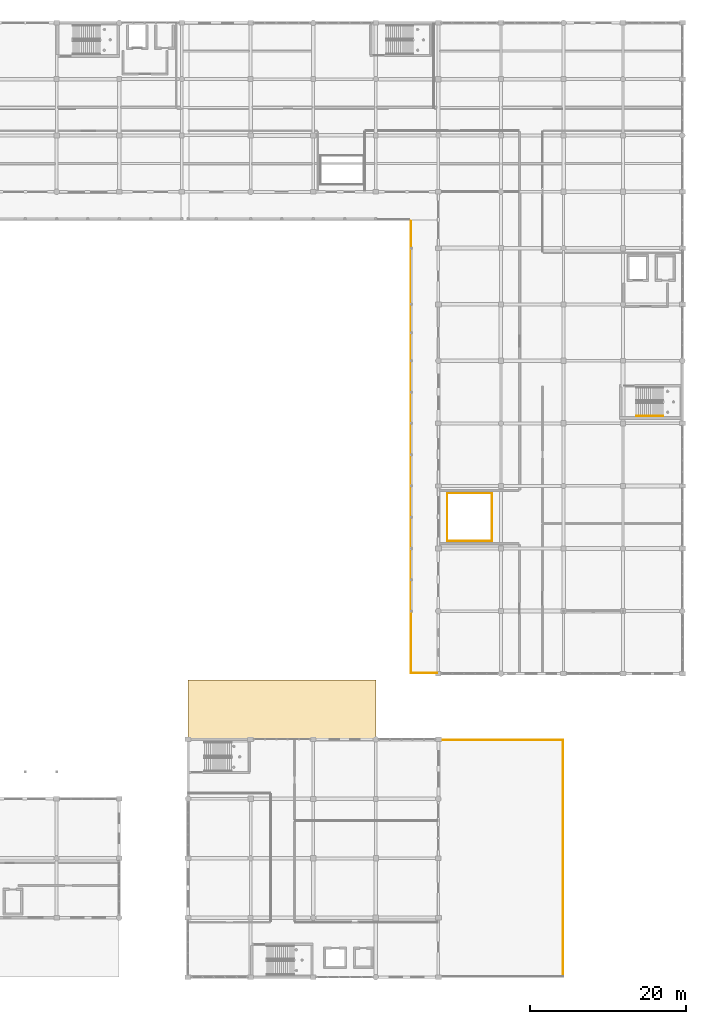
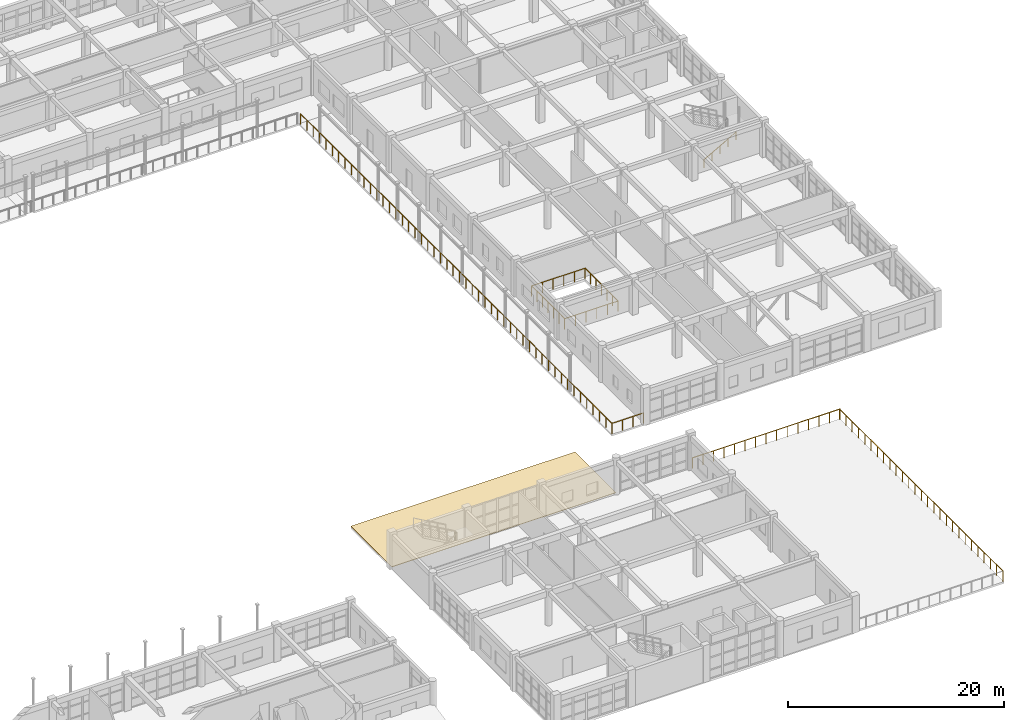
# One storey, part 193 of 195: 9 railings, 1 covering.
"""IFC4 building model written with IfcOpenShell, lengths in metres."""

from ifc_helpers import new_model, si_unit, direction, frame, origin, origin_2d, place, context, subcontext, project, spatial, polyline, circle, outline, extrude, material, layer, layer_set, type_object, element, save


model = new_model("IFC4")

# Units and contexts
model_context = context("Model", 3, precision=1e-05, world=origin(), true_north=direction((0.0, 1.0)))
body_context = subcontext(model_context, "Body", "Model", "MODEL_VIEW")
ifc_project = project(units=[si_unit("LENGTHUNIT", "METRE"), si_unit("AREAUNIT", "SQUARE_METRE"), si_unit("VOLUMEUNIT", "CUBIC_METRE"), si_unit("PLANEANGLEUNIT", "RADIAN"), si_unit("MASSUNIT", "GRAM", prefix="KILO")], contexts=[model_context])

# Site, building, storey
site_placement = place(None, origin())
site = spatial("IfcSite", under=ifc_project, at=site_placement, CompositionType="ELEMENT")
building_placement = place(site_placement, origin())
building = spatial("IfcBuilding", under=site, at=building_placement, Name="Kharva Crest Polytechnic", CompositionType="ELEMENT")
storey_placement = place(building_placement, frame((0.0, 0.0, 9.0)))
storey = spatial("IfcBuildingStorey", under=building, at=storey_placement, Name="L02", CompositionType="ELEMENT", Elevation=9.0)

# Covering
ifc_material_1 = material(Name="Anodised aluminium", Category="aluminium")
ifc_layer = layer(ifc_material_1, 0.044921875, Name="Anodised aluminium")
ifc_layer_set = layer_set([ifc_layer], Name="Anodised aluminium")
covering_type = type_object("IfcCoveringType", Name="COV-ROOF-MEMBRANE", PredefinedType="ROOFING", material=ifc_layer_set)
covering_placement = place(storey_placement, origin())
element("IfcCovering", 1, at=covering_placement, inside=storey, type_object=covering_type, Name="L02 Standing-Seam Roof Covering 15", PredefinedType="ROOFING", context=body_context, shape_type="SweptSolid", body=[
    extrude(outline(polyline([(120.800048828125, 30.39990234375), (144.800048828125, 30.39990234375), (144.800048828125, 38.0), (120.800048828125, 38.0), (120.800048828125, 30.39990234375)])), origin(), (0.0, 0.0, 1.0), 0.044921875),
])

# Railings
railing_type_1 = type_object("IfcRailingType", Name="RL-BALUSTRADE-1200", PredefinedType="BALUSTRADE", material=ifc_material_1)
railing_1_placement = place(storey_placement, frame((149.260009765625, 38.8798828125, 0.0)))
element("IfcRailing", 2, at=railing_1_placement, inside=storey, type_object=railing_type_1, Name="L02 VER_E_L02 S Balustrade 17", PredefinedType="BALUSTRADE", context=body_context, shape_type="SweptSolid", body=[
    extrude(circle(Radius=0.02392578125, at=origin_2d()), frame((0.0, 0.0, 1.17578125), z_axis=(1.0, 0.0, 0.0), x_axis=(0.0, 1.0, 0.0)), (0.0, 0.0, 1.0), 3.39990234375),
    extrude(circle(Radius=0.02099609375, at=origin_2d()), origin(), (0.0, 0.0, 1.0), 1.15185546875),
    extrude(circle(Radius=0.02099609375, at=origin_2d()), frame((1.13330078125, 0.0, 0.0)), (0.0, 0.0, 1.0), 1.15185546875),
    extrude(circle(Radius=0.02099609375, at=origin_2d()), frame((2.2666015625, 0.0, 0.0)), (0.0, 0.0, 1.0), 1.15185546875),
    extrude(circle(Radius=0.02099609375, at=origin_2d()), frame((3.39990234375, 0.0, 0.0)), (0.0, 0.0, 1.0), 1.15185546875),
])
railing_2_placement = place(storey_placement, frame((149.280029296875, 38.860107421875, 0.0)))
element("IfcRailing", 3, at=railing_2_placement, inside=storey, type_object=railing_type_1, Name="L02 VER_E_L02 W Balustrade 18", PredefinedType="BALUSTRADE", context=body_context, shape_type="SweptSolid", body=[
    extrude(circle(Radius=0.02392578125, at=origin_2d()), frame((0.0, 0.0, 1.17578125), z_axis=(0.0, 1.0, 0.0), x_axis=(-1.0, 0.0, 0.0)), (0.0, 0.0, 1.0), 57.7998046875),
    extrude(circle(Radius=0.02099609375, at=origin_2d()), origin(), (0.0, 0.0, 1.0), 1.15185546875),
    extrude(circle(Radius=0.02099609375, at=origin_2d()), frame((0.0, 1.1796875, 0.0)), (0.0, 0.0, 1.0), 1.15185546875),
    extrude(circle(Radius=0.02099609375, at=origin_2d()), frame((0.0, 2.359130859375, 0.0)), (0.0, 0.0, 1.0), 1.15185546875),
    extrude(circle(Radius=0.02099609375, at=origin_2d()), frame((0.0, 3.538818359375, 0.0)), (0.0, 0.0, 1.0), 1.15185546875),
    extrude(circle(Radius=0.02099609375, at=origin_2d()), frame((0.0, 4.71826171875, 0.0)), (0.0, 0.0, 1.0), 1.15185546875),
    extrude(circle(Radius=0.02099609375, at=origin_2d()), frame((0.0, 5.89794921875, 0.0)), (0.0, 0.0, 1.0), 1.15185546875),
    extrude(circle(Radius=0.02099609375, at=origin_2d()), frame((0.0, 7.07763671875, 0.0)), (0.0, 0.0, 1.0), 1.15185546875),
    extrude(circle(Radius=0.02099609375, at=origin_2d()), frame((0.0, 8.257080078125, 0.0)), (0.0, 0.0, 1.0), 1.15185546875),
    extrude(circle(Radius=0.02099609375, at=origin_2d()), frame((0.0, 9.436767578125, 0.0)), (0.0, 0.0, 1.0), 1.15185546875),
    extrude(circle(Radius=0.02099609375, at=origin_2d()), frame((0.0, 10.6162109375, 0.0)), (0.0, 0.0, 1.0), 1.15185546875),
    extrude(circle(Radius=0.02099609375, at=origin_2d()), frame((0.0, 11.7958984375, 0.0)), (0.0, 0.0, 1.0), 1.15185546875),
    extrude(circle(Radius=0.02099609375, at=origin_2d()), frame((0.0, 12.9755859375, 0.0)), (0.0, 0.0, 1.0), 1.15185546875),
    extrude(circle(Radius=0.02099609375, at=origin_2d()), frame((0.0, 14.155029296875, 0.0)), (0.0, 0.0, 1.0), 1.15185546875),
    extrude(circle(Radius=0.02099609375, at=origin_2d()), frame((0.0, 15.334716796875, 0.0)), (0.0, 0.0, 1.0), 1.15185546875),
    extrude(circle(Radius=0.02099609375, at=origin_2d()), frame((0.0, 16.51416015625, 0.0)), (0.0, 0.0, 1.0), 1.15185546875),
    extrude(circle(Radius=0.02099609375, at=origin_2d()), frame((0.0, 17.69384765625, 0.0)), (0.0, 0.0, 1.0), 1.15185546875),
    extrude(circle(Radius=0.02099609375, at=origin_2d()), frame((0.0, 18.873291015625, 0.0)), (0.0, 0.0, 1.0), 1.15185546875),
    extrude(circle(Radius=0.02099609375, at=origin_2d()), frame((0.0, 20.052978515625, 0.0)), (0.0, 0.0, 1.0), 1.15185546875),
    extrude(circle(Radius=0.02099609375, at=origin_2d()), frame((0.0, 21.232666015625, 0.0)), (0.0, 0.0, 1.0), 1.15185546875),
    extrude(circle(Radius=0.02099609375, at=origin_2d()), frame((0.0, 22.412109375, 0.0)), (0.0, 0.0, 1.0), 1.15185546875),
    extrude(circle(Radius=0.02099609375, at=origin_2d()), frame((0.0, 23.591796875, 0.0)), (0.0, 0.0, 1.0), 1.15185546875),
    extrude(circle(Radius=0.02099609375, at=origin_2d()), frame((0.0, 24.771240234375, 0.0)), (0.0, 0.0, 1.0), 1.15185546875),
    extrude(circle(Radius=0.02099609375, at=origin_2d()), frame((0.0, 25.950927734375, 0.0)), (0.0, 0.0, 1.0), 1.15185546875),
    extrude(circle(Radius=0.02099609375, at=origin_2d()), frame((0.0, 27.130615234375, 0.0)), (0.0, 0.0, 1.0), 1.15185546875),
    extrude(circle(Radius=0.02099609375, at=origin_2d()), frame((0.0, 28.31005859375, 0.0)), (0.0, 0.0, 1.0), 1.15185546875),
    extrude(circle(Radius=0.02099609375, at=origin_2d()), frame((0.0, 29.48974609375, 0.0)), (0.0, 0.0, 1.0), 1.15185546875),
    extrude(circle(Radius=0.02099609375, at=origin_2d()), frame((0.0, 30.669189453125, 0.0)), (0.0, 0.0, 1.0), 1.15185546875),
    extrude(circle(Radius=0.02099609375, at=origin_2d()), frame((0.0, 31.848876953125, 0.0)), (0.0, 0.0, 1.0), 1.15185546875),
    extrude(circle(Radius=0.02099609375, at=origin_2d()), frame((0.0, 33.028564453125, 0.0)), (0.0, 0.0, 1.0), 1.15185546875),
    extrude(circle(Radius=0.02099609375, at=origin_2d()), frame((0.0, 34.2080078125, 0.0)), (0.0, 0.0, 1.0), 1.15185546875),
    extrude(circle(Radius=0.02099609375, at=origin_2d()), frame((0.0, 35.3876953125, 0.0)), (0.0, 0.0, 1.0), 1.15185546875),
    extrude(circle(Radius=0.02099609375, at=origin_2d()), frame((0.0, 36.567138671875, 0.0)), (0.0, 0.0, 1.0), 1.15185546875),
    extrude(circle(Radius=0.02099609375, at=origin_2d()), frame((0.0, 37.746826171875, 0.0)), (0.0, 0.0, 1.0), 1.15185546875),
    extrude(circle(Radius=0.02099609375, at=origin_2d()), frame((0.0, 38.926513671875, 0.0)), (0.0, 0.0, 1.0), 1.15185546875),
    extrude(circle(Radius=0.02099609375, at=origin_2d()), frame((0.0, 40.10595703125, 0.0)), (0.0, 0.0, 1.0), 1.15185546875),
    extrude(circle(Radius=0.02099609375, at=origin_2d()), frame((0.0, 41.28564453125, 0.0)), (0.0, 0.0, 1.0), 1.15185546875),
    extrude(circle(Radius=0.02099609375, at=origin_2d()), frame((0.0, 42.465087890625, 0.0)), (0.0, 0.0, 1.0), 1.15185546875),
    extrude(circle(Radius=0.02099609375, at=origin_2d()), frame((0.0, 43.644775390625, 0.0)), (0.0, 0.0, 1.0), 1.15185546875),
    extrude(circle(Radius=0.02099609375, at=origin_2d()), frame((0.0, 44.82421875, 0.0)), (0.0, 0.0, 1.0), 1.15185546875),
    extrude(circle(Radius=0.02099609375, at=origin_2d()), frame((0.0, 46.00390625, 0.0)), (0.0, 0.0, 1.0), 1.15185546875),
    extrude(circle(Radius=0.02099609375, at=origin_2d()), frame((0.0, 47.18359375, 0.0)), (0.0, 0.0, 1.0), 1.15185546875),
    extrude(circle(Radius=0.02099609375, at=origin_2d()), frame((0.0, 48.363037109375, 0.0)), (0.0, 0.0, 1.0), 1.15185546875),
    extrude(circle(Radius=0.02099609375, at=origin_2d()), frame((0.0, 49.542724609375, 0.0)), (0.0, 0.0, 1.0), 1.15185546875),
    extrude(circle(Radius=0.02099609375, at=origin_2d()), frame((0.0, 50.72216796875, 0.0)), (0.0, 0.0, 1.0), 1.15185546875),
    extrude(circle(Radius=0.02099609375, at=origin_2d()), frame((0.0, 51.90185546875, 0.0)), (0.0, 0.0, 1.0), 1.15185546875),
    extrude(circle(Radius=0.02099609375, at=origin_2d()), frame((0.0, 53.08154296875, 0.0)), (0.0, 0.0, 1.0), 1.15185546875),
    extrude(circle(Radius=0.02099609375, at=origin_2d()), frame((0.0, 54.260986328125, 0.0)), (0.0, 0.0, 1.0), 1.15185546875),
    extrude(circle(Radius=0.02099609375, at=origin_2d()), frame((0.0, 55.440673828125, 0.0)), (0.0, 0.0, 1.0), 1.15185546875),
    extrude(circle(Radius=0.02099609375, at=origin_2d()), frame((0.0, 56.6201171875, 0.0)), (0.0, 0.0, 1.0), 1.15185546875),
    extrude(circle(Radius=0.02099609375, at=origin_2d()), frame((0.0, 57.7998046875, 0.0)), (0.0, 0.0, 1.0), 1.15185546875),
])
ifc_material_2 = material(Name="Teak timber", Category="wood")
railing_type_2 = type_object("IfcRailingType", Name="RL-STAIR-HAND-900", PredefinedType="HANDRAIL", material=ifc_material_2)
railing_3_placement = place(storey_placement, frame((178.090087890625, 71.719970703125, 0.14990234375)))
element("IfcRailing", 4, at=railing_3_placement, inside=storey, type_object=railing_type_2, Name="L02 ST-05 stair handrail 1", PredefinedType="HANDRAIL", context=body_context, shape_type="SweptSolid", body=[
    extrude(circle(Radius=0.02392578125, at=origin_2d()), frame((0.0, 0.0, 0.8759765625), z_axis=(0.870224926921, 0.0, 0.492654621987), x_axis=(0.0, 1.0, 0.0)), (0.0, 0.0, 1.0), 3.95849609375),
    extrude(circle(Radius=0.02099609375, at=origin_2d()), origin(), (0.0, 0.0, 1.0), 0.851806640625),
    extrude(circle(Radius=0.02099609375, at=origin_2d()), frame((0.861328125, 0.0, 0.487548828125)), (0.0, 0.0, 1.0), 0.851806640625),
    extrude(circle(Radius=0.02099609375, at=origin_2d()), frame((1.722412109375, 0.0, 0.97509765625)), (0.0, 0.0, 1.0), 0.851806640625),
    extrude(circle(Radius=0.02099609375, at=origin_2d()), frame((2.58349609375, 0.0, 1.462646484375)), (0.0, 0.0, 1.0), 0.851806640625),
    extrude(circle(Radius=0.02099609375, at=origin_2d()), frame((3.44482421875, 0.0, 1.9501953125)), (0.0, 0.0, 1.0), 0.851806640625),
])
railing_type_3 = type_object("IfcRailingType", Name="RL-TERRACE-GUARD-1200", PredefinedType="GUARDRAIL", material=ifc_material_1)
railing_4_placement = place(storey_placement, frame((152.93994140625, 30.320068359375, 0.0)))
element("IfcRailing", 5, at=railing_4_placement, inside=storey, type_object=railing_type_3, Name="L02 TER_SE_L02 N Balustrade 20", PredefinedType="GUARDRAIL", context=body_context, shape_type="SweptSolid", body=[
    extrude(circle(Radius=0.02392578125, at=origin_2d()), frame((0.0, 0.0, 1.17578125), z_axis=(1.0, 0.0, 0.0), x_axis=(0.0, 1.0, 0.0)), (0.0, 0.0, 1.0), 15.800048828125),
    extrude(circle(Radius=0.02099609375, at=origin_2d()), origin(), (0.0, 0.0, 1.0), 1.15185546875),
    extrude(circle(Radius=0.02099609375, at=origin_2d()), frame((1.128662109375, 0.0, 0.0)), (0.0, 0.0, 1.0), 1.15185546875),
    extrude(circle(Radius=0.02099609375, at=origin_2d()), frame((2.257080078125, 0.0, 0.0)), (0.0, 0.0, 1.0), 1.15185546875),
    extrude(circle(Radius=0.02099609375, at=origin_2d()), frame((3.3857421875, 0.0, 0.0)), (0.0, 0.0, 1.0), 1.15185546875),
    extrude(circle(Radius=0.02099609375, at=origin_2d()), frame((4.514404296875, 0.0, 0.0)), (0.0, 0.0, 1.0), 1.15185546875),
    extrude(circle(Radius=0.02099609375, at=origin_2d()), frame((5.642822265625, 0.0, 0.0)), (0.0, 0.0, 1.0), 1.15185546875),
    extrude(circle(Radius=0.02099609375, at=origin_2d()), frame((6.771484375, 0.0, 0.0)), (0.0, 0.0, 1.0), 1.15185546875),
    extrude(circle(Radius=0.02099609375, at=origin_2d()), frame((7.89990234375, 0.0, 0.0)), (0.0, 0.0, 1.0), 1.15185546875),
    extrude(circle(Radius=0.02099609375, at=origin_2d()), frame((9.028564453125, 0.0, 0.0)), (0.0, 0.0, 1.0), 1.15185546875),
    extrude(circle(Radius=0.02099609375, at=origin_2d()), frame((10.1572265625, 0.0, 0.0)), (0.0, 0.0, 1.0), 1.15185546875),
    extrude(circle(Radius=0.02099609375, at=origin_2d()), frame((11.28564453125, 0.0, 0.0)), (0.0, 0.0, 1.0), 1.15185546875),
    extrude(circle(Radius=0.02099609375, at=origin_2d()), frame((12.414306640625, 0.0, 0.0)), (0.0, 0.0, 1.0), 1.15185546875),
    extrude(circle(Radius=0.02099609375, at=origin_2d()), frame((13.54296875, 0.0, 0.0)), (0.0, 0.0, 1.0), 1.15185546875),
    extrude(circle(Radius=0.02099609375, at=origin_2d()), frame((14.67138671875, 0.0, 0.0)), (0.0, 0.0, 1.0), 1.15185546875),
    extrude(circle(Radius=0.02099609375, at=origin_2d()), frame((15.800048828125, 0.0, 0.0)), (0.0, 0.0, 1.0), 1.15185546875),
])
railing_5_placement = place(storey_placement, frame((168.719970703125, 0.06005859375, 0.0)))
element("IfcRailing", 6, at=railing_5_placement, inside=storey, type_object=railing_type_3, Name="L02 TER_SE_L02 E Balustrade 21", PredefinedType="GUARDRAIL", context=body_context, shape_type="SweptSolid", body=[
    extrude(circle(Radius=0.02392578125, at=origin_2d()), frame((0.0, 0.0, 1.17578125), z_axis=(0.0, 1.0, 0.0), x_axis=(-1.0, 0.0, 0.0)), (0.0, 0.0, 1.0), 30.280029296875),
    extrude(circle(Radius=0.02099609375, at=origin_2d()), origin(), (0.0, 0.0, 1.0), 1.15185546875),
    extrude(circle(Radius=0.02099609375, at=origin_2d()), frame((0.0, 1.16455078125, 0.0)), (0.0, 0.0, 1.0), 1.15185546875),
    extrude(circle(Radius=0.02099609375, at=origin_2d()), frame((0.0, 2.329345703125, 0.0)), (0.0, 0.0, 1.0), 1.15185546875),
    extrude(circle(Radius=0.02099609375, at=origin_2d()), frame((0.0, 3.493896484375, 0.0)), (0.0, 0.0, 1.0), 1.15185546875),
    extrude(circle(Radius=0.02099609375, at=origin_2d()), frame((0.0, 4.658447265625, 0.0)), (0.0, 0.0, 1.0), 1.15185546875),
    extrude(circle(Radius=0.02099609375, at=origin_2d()), frame((0.0, 5.822998046875, 0.0)), (0.0, 0.0, 1.0), 1.15185546875),
    extrude(circle(Radius=0.02099609375, at=origin_2d()), frame((0.0, 6.98779296875, 0.0)), (0.0, 0.0, 1.0), 1.15185546875),
    extrude(circle(Radius=0.02099609375, at=origin_2d()), frame((0.0, 8.15234375, 0.0)), (0.0, 0.0, 1.0), 1.15185546875),
    extrude(circle(Radius=0.02099609375, at=origin_2d()), frame((0.0, 9.31689453125, 0.0)), (0.0, 0.0, 1.0), 1.15185546875),
    extrude(circle(Radius=0.02099609375, at=origin_2d()), frame((0.0, 10.4814453125, 0.0)), (0.0, 0.0, 1.0), 1.15185546875),
    extrude(circle(Radius=0.02099609375, at=origin_2d()), frame((0.0, 11.646240234375, 0.0)), (0.0, 0.0, 1.0), 1.15185546875),
    extrude(circle(Radius=0.02099609375, at=origin_2d()), frame((0.0, 12.810791015625, 0.0)), (0.0, 0.0, 1.0), 1.15185546875),
    extrude(circle(Radius=0.02099609375, at=origin_2d()), frame((0.0, 13.975341796875, 0.0)), (0.0, 0.0, 1.0), 1.15185546875),
    extrude(circle(Radius=0.02099609375, at=origin_2d()), frame((0.0, 15.14013671875, 0.0)), (0.0, 0.0, 1.0), 1.15185546875),
    extrude(circle(Radius=0.02099609375, at=origin_2d()), frame((0.0, 16.3046875, 0.0)), (0.0, 0.0, 1.0), 1.15185546875),
    extrude(circle(Radius=0.02099609375, at=origin_2d()), frame((0.0, 17.46923828125, 0.0)), (0.0, 0.0, 1.0), 1.15185546875),
    extrude(circle(Radius=0.02099609375, at=origin_2d()), frame((0.0, 18.6337890625, 0.0)), (0.0, 0.0, 1.0), 1.15185546875),
    extrude(circle(Radius=0.02099609375, at=origin_2d()), frame((0.0, 19.798583984375, 0.0)), (0.0, 0.0, 1.0), 1.15185546875),
    extrude(circle(Radius=0.02099609375, at=origin_2d()), frame((0.0, 20.963134765625, 0.0)), (0.0, 0.0, 1.0), 1.15185546875),
    extrude(circle(Radius=0.02099609375, at=origin_2d()), frame((0.0, 22.127685546875, 0.0)), (0.0, 0.0, 1.0), 1.15185546875),
    extrude(circle(Radius=0.02099609375, at=origin_2d()), frame((0.0, 23.292236328125, 0.0)), (0.0, 0.0, 1.0), 1.15185546875),
    extrude(circle(Radius=0.02099609375, at=origin_2d()), frame((0.0, 24.45703125, 0.0)), (0.0, 0.0, 1.0), 1.15185546875),
    extrude(circle(Radius=0.02099609375, at=origin_2d()), frame((0.0, 25.62158203125, 0.0)), (0.0, 0.0, 1.0), 1.15185546875),
    extrude(circle(Radius=0.02099609375, at=origin_2d()), frame((0.0, 26.7861328125, 0.0)), (0.0, 0.0, 1.0), 1.15185546875),
    extrude(circle(Radius=0.02099609375, at=origin_2d()), frame((0.0, 27.95068359375, 0.0)), (0.0, 0.0, 1.0), 1.15185546875),
    extrude(circle(Radius=0.02099609375, at=origin_2d()), frame((0.0, 29.115478515625, 0.0)), (0.0, 0.0, 1.0), 1.15185546875),
    extrude(circle(Radius=0.02099609375, at=origin_2d()), frame((0.0, 30.280029296875, 0.0)), (0.0, 0.0, 1.0), 1.15185546875),
])
railing_type_4 = type_object("IfcRailingType", Name="RL-VOID-GUARD-1200", PredefinedType="GUARDRAIL", material=ifc_material_1)
railing_6_placement = place(storey_placement, frame((153.93994140625, 55.739990234375, 0.0)))
element("IfcRailing", 7, at=railing_6_placement, inside=storey, type_object=railing_type_4, Name="L02 Atrium Void Guard 29", PredefinedType="GUARDRAIL", context=body_context, shape_type="SweptSolid", body=[
    extrude(circle(Radius=0.02392578125, at=origin_2d()), frame((0.0, 0.0, 1.17578125), z_axis=(1.0, 0.0, 0.0), x_axis=(0.0, 1.0, 0.0)), (0.0, 0.0, 1.0), 5.719970703125),
    extrude(circle(Radius=0.02099609375, at=origin_2d()), origin(), (0.0, 0.0, 1.0), 1.15185546875),
    extrude(circle(Radius=0.02099609375, at=origin_2d()), frame((1.14404296875, 0.0, 0.0)), (0.0, 0.0, 1.0), 1.15185546875),
    extrude(circle(Radius=0.02099609375, at=origin_2d()), frame((2.2880859375, 0.0, 0.0)), (0.0, 0.0, 1.0), 1.15185546875),
    extrude(circle(Radius=0.02099609375, at=origin_2d()), frame((3.431884765625, 0.0, 0.0)), (0.0, 0.0, 1.0), 1.15185546875),
    extrude(circle(Radius=0.02099609375, at=origin_2d()), frame((4.575927734375, 0.0, 0.0)), (0.0, 0.0, 1.0), 1.15185546875),
    extrude(circle(Radius=0.02099609375, at=origin_2d()), frame((5.719970703125, 0.0, 0.0)), (0.0, 0.0, 1.0), 1.15185546875),
])
railing_7_placement = place(storey_placement, frame((159.659912109375, 55.739990234375, 0.0)))
element("IfcRailing", 8, at=railing_7_placement, inside=storey, type_object=railing_type_4, Name="L02 Atrium Void Guard 30", PredefinedType="GUARDRAIL", context=body_context, shape_type="SweptSolid", body=[
    extrude(circle(Radius=0.02392578125, at=origin_2d()), frame((0.0, 0.0, 1.17578125), z_axis=(0.0, 1.0, 0.0), x_axis=(-1.0, 0.0, 0.0)), (0.0, 0.0, 1.0), 6.1201171875),
    extrude(circle(Radius=0.02099609375, at=origin_2d()), origin(), (0.0, 0.0, 1.0), 1.15185546875),
    extrude(circle(Radius=0.02099609375, at=origin_2d()), frame((0.0, 1.02001953125, 0.0)), (0.0, 0.0, 1.0), 1.15185546875),
    extrude(circle(Radius=0.02099609375, at=origin_2d()), frame((0.0, 2.0400390625, 0.0)), (0.0, 0.0, 1.0), 1.15185546875),
    extrude(circle(Radius=0.02099609375, at=origin_2d()), frame((0.0, 3.06005859375, 0.0)), (0.0, 0.0, 1.0), 1.15185546875),
    extrude(circle(Radius=0.02099609375, at=origin_2d()), frame((0.0, 4.080078125, 0.0)), (0.0, 0.0, 1.0), 1.15185546875),
    extrude(circle(Radius=0.02099609375, at=origin_2d()), frame((0.0, 5.10009765625, 0.0)), (0.0, 0.0, 1.0), 1.15185546875),
    extrude(circle(Radius=0.02099609375, at=origin_2d()), frame((0.0, 6.1201171875, 0.0)), (0.0, 0.0, 1.0), 1.15185546875),
])
railing_8_placement = place(storey_placement, frame((159.659912109375, 61.860107421875, 0.0)))
element("IfcRailing", 9, at=railing_8_placement, inside=storey, type_object=railing_type_4, Name="L02 Atrium Void Guard 31", PredefinedType="GUARDRAIL", context=body_context, shape_type="SweptSolid", body=[
    extrude(circle(Radius=0.02392578125, at=origin_2d()), frame((0.0, 0.0, 1.17578125), z_axis=(-1.0, 0.0, 0.0), x_axis=(0.0, -1.0, 0.0)), (0.0, 0.0, 1.0), 5.719970703125),
    extrude(circle(Radius=0.02099609375, at=origin_2d()), origin(), (0.0, 0.0, 1.0), 1.15185546875),
    extrude(circle(Radius=0.02099609375, at=origin_2d()), frame((-1.14404296875, 0.0, 0.0)), (0.0, 0.0, 1.0), 1.15185546875),
    extrude(circle(Radius=0.02099609375, at=origin_2d()), frame((-2.2880859375, 0.0, 0.0)), (0.0, 0.0, 1.0), 1.15185546875),
    extrude(circle(Radius=0.02099609375, at=origin_2d()), frame((-3.431884765625, 0.0, 0.0)), (0.0, 0.0, 1.0), 1.15185546875),
    extrude(circle(Radius=0.02099609375, at=origin_2d()), frame((-4.575927734375, 0.0, 0.0)), (0.0, 0.0, 1.0), 1.15185546875),
    extrude(circle(Radius=0.02099609375, at=origin_2d()), frame((-5.719970703125, 0.0, 0.0)), (0.0, 0.0, 1.0), 1.15185546875),
])
railing_9_placement = place(storey_placement, frame((153.93994140625, 61.860107421875, 0.0)))
element("IfcRailing", 10, at=railing_9_placement, inside=storey, type_object=railing_type_4, Name="L02 Atrium Void Guard 32", PredefinedType="GUARDRAIL", context=body_context, shape_type="SweptSolid", body=[
    extrude(circle(Radius=0.02392578125, at=origin_2d()), frame((0.0, 0.0, 1.17578125), z_axis=(0.0, -1.0, 0.0), x_axis=(1.0, 0.0, 0.0)), (0.0, 0.0, 1.0), 6.1201171875),
    extrude(circle(Radius=0.02099609375, at=origin_2d()), origin(), (0.0, 0.0, 1.0), 1.15185546875),
    extrude(circle(Radius=0.02099609375, at=origin_2d()), frame((0.0, -1.02001953125, 0.0)), (0.0, 0.0, 1.0), 1.15185546875),
    extrude(circle(Radius=0.02099609375, at=origin_2d()), frame((0.0, -2.0400390625, 0.0)), (0.0, 0.0, 1.0), 1.15185546875),
    extrude(circle(Radius=0.02099609375, at=origin_2d()), frame((0.0, -3.06005859375, 0.0)), (0.0, 0.0, 1.0), 1.15185546875),
    extrude(circle(Radius=0.02099609375, at=origin_2d()), frame((0.0, -4.080078125, 0.0)), (0.0, 0.0, 1.0), 1.15185546875),
    extrude(circle(Radius=0.02099609375, at=origin_2d()), frame((0.0, -5.10009765625, 0.0)), (0.0, 0.0, 1.0), 1.15185546875),
    extrude(circle(Radius=0.02099609375, at=origin_2d()), frame((0.0, -6.1201171875, 0.0)), (0.0, 0.0, 1.0), 1.15185546875),
])

save(model, "model.ifc")
